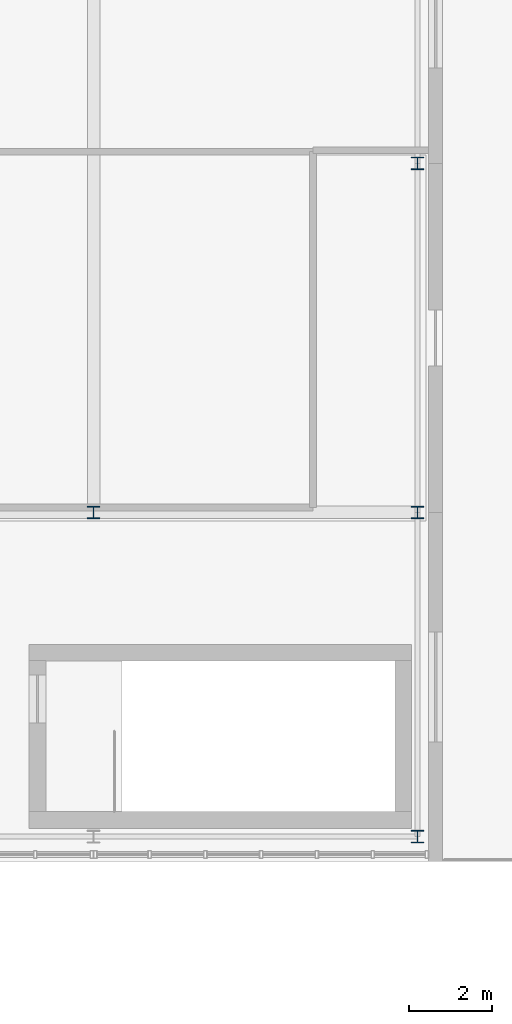
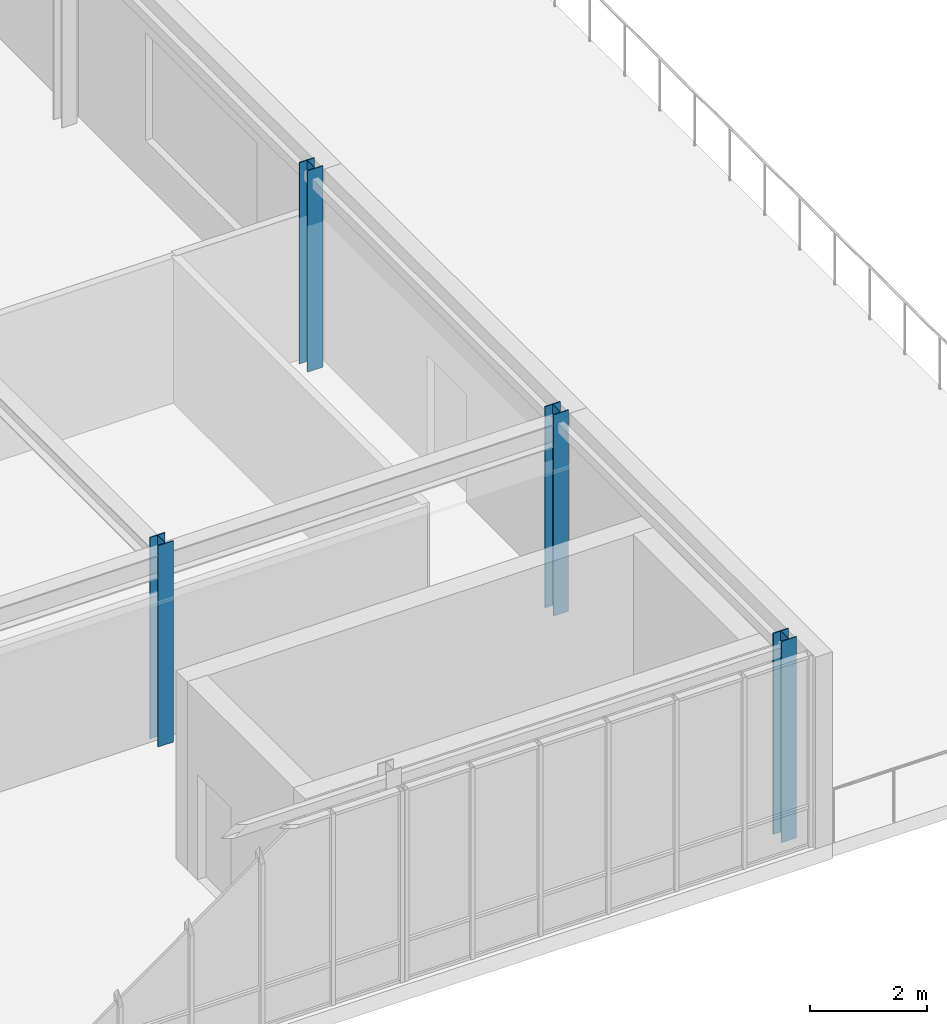
# One storey, part 18 of 127: 4 columns.
"""IFC4 building model written with IfcOpenShell, lengths in metres."""

from ifc_helpers import new_model, si_unit, direction, frame, origin, origin_2d, place, context, subcontext, project, spatial, i_section, extrude, material, material_profile, profile_set, type_object, element, save


model = new_model("IFC4")

# Units and contexts
model_context = context("Model", 3, precision=1e-05, world=origin(), true_north=direction((0.0, 1.0)))
body_context = subcontext(model_context, "Body", "Model", "MODEL_VIEW")
ifc_project = project(units=[si_unit("LENGTHUNIT", "METRE"), si_unit("AREAUNIT", "SQUARE_METRE"), si_unit("VOLUMEUNIT", "CUBIC_METRE"), si_unit("PLANEANGLEUNIT", "RADIAN"), si_unit("MASSUNIT", "GRAM", prefix="KILO")], contexts=[model_context])

# Site, building, storey
site_placement = place(None, origin())
site = spatial("IfcSite", under=ifc_project, at=site_placement, CompositionType="ELEMENT")
building_placement = place(site_placement, origin())
building = spatial("IfcBuilding", under=site, at=building_placement, Name="Zayran Congress Hotel", CompositionType="ELEMENT")
storey_placement = place(building_placement, frame((0.0, 0.0, 10.800048828125)))
storey = spatial("IfcBuildingStorey", under=building, at=storey_placement, Name="L02", CompositionType="ELEMENT", Elevation=10.800048828125)

# Columns
ifc_material = material(Name="Steel S355", Category="steel")
ifc_material_profile = material_profile(ifc_material, i_section(OverallWidth=0.300048828125, OverallDepth=0.300048828125, WebThickness=0.010986328125, FlangeThickness=0.01904296875, at=origin_2d()), Name="HEB 300")
ifc_profile_set = profile_set([ifc_material_profile], Name="Steel S355")
column_type = type_object("IfcColumnType", Name="TP-CL-08", PredefinedType="COLUMN", material=ifc_profile_set)
for number, where, z_axis, x_axis, name in (
    (1, (176.39990234375, 92.800048828125, 0.0), (0.0, 0.0, 1.0), (1.0, 0.0, 0.0), "COL-V2-L02-0604"),
    (2, (184.199951171875, 85.0, 0.0), (0.0, 0.0, 1.0), (1.0, 0.0, 0.0), "COL-V2-L02-0607"),
    (3, (184.199951171875, 92.800048828125, 0.0), (0.0, 0.0, 1.0), (1.0, 0.0, 0.0), "COL-V2-L02-0608"),
    (4, (184.199951171875, 101.199951171875, 0.0), (0.0, 0.0, 1.0), (1.0, 0.0, 0.0), "COL-V2-L02-0609"),
):
    element("IfcColumn", number, at=place(storey_placement, frame(where, z_axis=z_axis, x_axis=x_axis)), inside=storey, type_object=column_type, Name=name, PredefinedType="COLUMN", context=body_context, shape_type="SweptSolid", body=[
        extrude(i_section(OverallWidth=0.300048828125, OverallDepth=0.300048828125, WebThickness=0.010986328125, FlangeThickness=0.01904296875, at=origin_2d()), origin(), (0.0, 0.0, 1.0), 4.199951171875),
    ])

save(model, "model.ifc")
